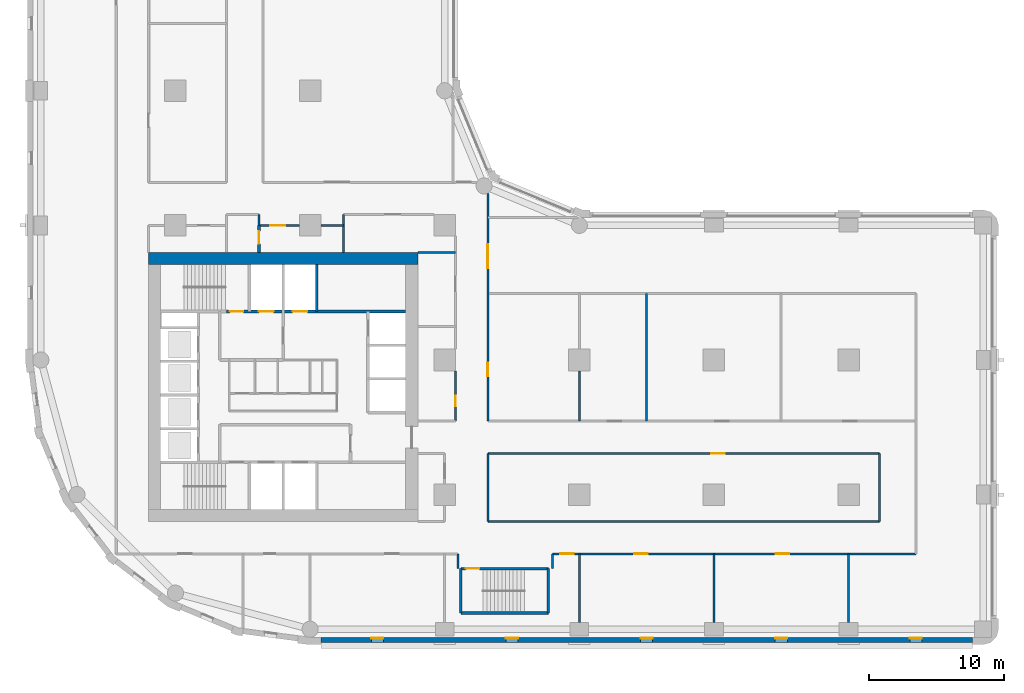
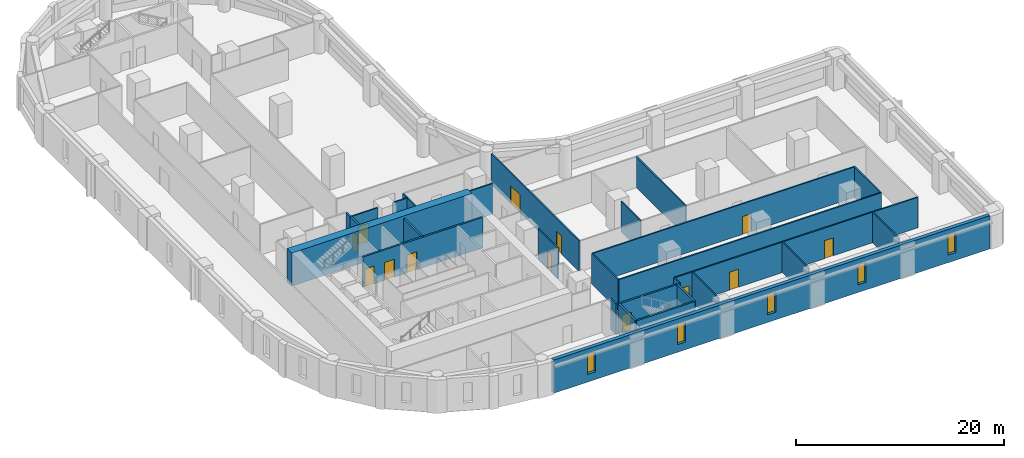
# One storey, part 4 of 11: 28 walls, 13 doors, 5 windows, 18 openings.
"""IFC4 building model written with IfcOpenShell, lengths in metres."""

from ifc_helpers import new_model, si_unit, direction, frame, frame_2d, origin, place, context, subcontext, project, spatial, rectangle, extrude, material, layer, layer_set, type_object, element, fill, save


model = new_model("IFC4")

# Units and contexts
model_context = context("Model", 3, precision=1e-05, world=origin(), true_north=direction((0.0, 1.0)))
body_context = subcontext(model_context, "Body", "Model", "MODEL_VIEW")
ifc_project = project(units=[si_unit("LENGTHUNIT", "METRE"), si_unit("AREAUNIT", "SQUARE_METRE"), si_unit("VOLUMEUNIT", "CUBIC_METRE"), si_unit("PLANEANGLEUNIT", "RADIAN"), si_unit("MASSUNIT", "GRAM", prefix="KILO")], contexts=[model_context])

# Site, building, storey
site_placement = place(None, origin())
site = spatial("IfcSite", under=ifc_project, at=site_placement, CompositionType="ELEMENT")
building_placement = place(site_placement, origin())
building = spatial("IfcBuilding", under=site, at=building_placement, Name="Qaws Garden Tower", CompositionType="ELEMENT")
storey_placement = place(building_placement, frame((0.0, 0.0, 82.199951171875)))
storey = spatial("IfcBuildingStorey", under=building, at=storey_placement, Name="L20", CompositionType="ELEMENT", Elevation=82.199951171875)

# Wall, opening, door
ifc_material_1 = material(Name="Blockwork", Category="masonry")
ifc_layer_1 = layer(ifc_material_1, 0.199951171875)
ifc_layer_set_1 = layer_set([ifc_layer_1], Name="Blockwork")
wall_type_1 = type_object("IfcWallType", Name="BLOCK WALL 200 EI 60", PredefinedType="PARTITIONING", material=ifc_layer_set_1)
wall_1_placement = place(storey_placement, frame((16.199951171875, 28.0, 0.0), z_axis=(0.0, 0.0, 1.0), x_axis=(0.0, 1.0, 0.0)))
wall_1 = element("IfcWall", 1, at=wall_1_placement, inside=storey, type_object=wall_type_1, Name="O-L20-wall-060", PredefinedType="PARTITIONING", context=body_context, shape_type="SweptSolid", body=[
    extrude(rectangle(XDim=2.0, YDim=0.199951171875, at=frame_2d((1.0, 0.0))), origin(), (0.0, 0.0, 1.0), 3.580078125),
])
opening_1_placement = place(wall_1_placement, frame((0.625, 0.0, 0.0)))
opening_1 = element("IfcOpeningElement", 2, at=opening_1_placement, cuts=wall_1, Name="Opening A726", PredefinedType="OPENING", context=body_context, shape_type="SweptSolid", body=[
    extrude(rectangle(XDim=0.949951171875, YDim=2.10009765625, at=frame_2d((0.47509765625, 1.050048828125))), frame((0.0, 0.10986328125, 0.0), z_axis=(0.0, -1.0, 0.0), x_axis=(1.0, 0.0, 0.0)), (0.0, 0.0, 1.0), 0.219970703125),
])
ifc_material_2 = material(Name="Timber and glass door leaf", Category="wood")
door_type_1 = type_object("IfcDoorType", Name="GLAZED DOOR 950 X 2100", OperationType="SINGLE_SWING_LEFT", PredefinedType="DOOR", material=ifc_material_2)
door_1_placement = place(opening_1_placement, origin())
door_1 = element("IfcDoor", 3, at=door_1_placement, inside=storey, type_object=door_type_1, Name="O-L20-door-026", OperationType="SINGLE_SWING_LEFT", OverallHeight=2.10009765625, OverallWidth=0.949951171875, PredefinedType="DOOR", context=body_context, shape_type="SweptSolid", body=[
    extrude(rectangle(XDim=0.949951171875, YDim=2.10009765625, at=frame_2d((0.47509765625, 1.050048828125))), frame((0.0, 0.02490234375, 0.0), z_axis=(0.0, -1.0, 0.0), x_axis=(1.0, 0.0, 0.0)), (0.0, 0.0, 1.0), 0.050048828125),
])
fill(opening_1, door_1)

# Wall, openings, windows
ifc_material_3 = material(Name="Buff clay facing brick masonry", Category="masonry")
ifc_layer_2 = layer(ifc_material_3, 0.39990234375)
ifc_layer_set_2 = layer_set([ifc_layer_2], Name="Buff clay facing brick masonry")
wall_type_2 = type_object("IfcWallType", Name="Buff brick infill wall 400", PredefinedType="SOLIDWALL", material=ifc_layer_set_2)
wall_2_placement = place(storey_placement, frame((20.800048828125, -0.800048828125, 0.0), z_axis=(0.0, 0.0, 1.0), x_axis=(1.0, 0.0, 0.0)))
wall_2 = element("IfcWall", 4, at=wall_2_placement, inside=storey, type_object=wall_type_2, Name="E-L20-infill-00", PredefinedType="SOLIDWALL", context=body_context, shape_type="SweptSolid", body=[
    extrude(rectangle(XDim=48.39990234375, YDim=0.39990234375, at=frame_2d((24.199951171875, 0.0))), origin(), (0.0, 0.0, 1.0), 3.900146484375),
])
opening_2_placement = place(wall_2_placement, frame((3.75, 0.0, 0.89990234375)))
opening_2 = element("IfcOpeningElement", 5, at=opening_2_placement, cuts=wall_2, Name="Opening W09", PredefinedType="OPENING", context=body_context, shape_type="SweptSolid", body=[
    extrude(rectangle(XDim=0.89990234375, YDim=2.35009765625, at=frame_2d((0.449951171875, 1.175048828125))), frame((0.0, 0.2099609375, 0.0), z_axis=(0.0, -1.0, 0.0), x_axis=(1.0, 0.0, 0.0)), (0.0, 0.0, 1.0), 0.419921875),
])
opening_3_placement = place(wall_2_placement, frame((13.75, 0.0, 0.89990234375)))
opening_3 = element("IfcOpeningElement", 6, at=opening_3_placement, cuts=wall_2, Name="Opening W09", PredefinedType="OPENING", context=body_context, shape_type="SweptSolid", body=[
    extrude(rectangle(XDim=0.89990234375, YDim=2.35009765625, at=frame_2d((0.449951171875, 1.175048828125))), frame((0.0, 0.2099609375, 0.0), z_axis=(0.0, -1.0, 0.0), x_axis=(1.0, 0.0, 0.0)), (0.0, 0.0, 1.0), 0.419921875),
])
opening_4_placement = place(wall_2_placement, frame((23.75, 0.0, 0.89990234375)))
opening_4 = element("IfcOpeningElement", 7, at=opening_4_placement, cuts=wall_2, Name="Opening W09", PredefinedType="OPENING", context=body_context, shape_type="SweptSolid", body=[
    extrude(rectangle(XDim=0.89990234375, YDim=2.35009765625, at=frame_2d((0.449951171875, 1.175048828125))), frame((0.0, 0.2099609375, 0.0), z_axis=(0.0, -1.0, 0.0), x_axis=(1.0, 0.0, 0.0)), (0.0, 0.0, 1.0), 0.419921875),
])
opening_5_placement = place(wall_2_placement, frame((33.75, 0.0, 0.89990234375)))
opening_5 = element("IfcOpeningElement", 8, at=opening_5_placement, cuts=wall_2, Name="Opening W09", PredefinedType="OPENING", context=body_context, shape_type="SweptSolid", body=[
    extrude(rectangle(XDim=0.89990234375, YDim=2.35009765625, at=frame_2d((0.449951171875, 1.175048828125))), frame((0.0, 0.2099609375, 0.0), z_axis=(0.0, -1.0, 0.0), x_axis=(1.0, 0.0, 0.0)), (0.0, 0.0, 1.0), 0.419921875),
])
opening_6_placement = place(wall_2_placement, frame((43.75, 0.0, 0.89990234375)))
opening_6 = element("IfcOpeningElement", 9, at=opening_6_placement, cuts=wall_2, Name="Opening W09", PredefinedType="OPENING", context=body_context, shape_type="SweptSolid", body=[
    extrude(rectangle(XDim=0.89990234375, YDim=2.35009765625, at=frame_2d((0.449951171875, 1.175048828125))), frame((0.0, 0.2099609375, 0.0), z_axis=(0.0, -1.0, 0.0), x_axis=(1.0, 0.0, 0.0)), (0.0, 0.0, 1.0), 0.419921875),
])
ifc_material_4 = material(Name="Aluminium framed window, clear glazing", Category="aluminium")
window_type = type_object("IfcWindowType", Name="Slit window 900 x 2350", PartitioningType="SINGLE_PANEL", PredefinedType="WINDOW", material=ifc_material_4)
window_1_placement = place(opening_2_placement, origin())
window_1 = element("IfcWindow", 10, at=window_1_placement, inside=storey, type_object=window_type, Name="E-L20-window-00-0", OverallHeight=2.35009765625, OverallWidth=0.89990234375, PartitioningType="SINGLE_PANEL", PredefinedType="WINDOW", context=body_context, shape_type="SweptSolid", body=[
    extrude(rectangle(XDim=0.89990234375, YDim=2.35009765625, at=frame_2d((0.449951171875, 1.175048828125))), frame((0.0, 0.159912109375, 0.0), z_axis=(0.0, -1.0, 0.0), x_axis=(1.0, 0.0, 0.0)), (0.0, 0.0, 1.0), 0.06005859375),
])
fill(opening_2, window_1)
window_2_placement = place(opening_3_placement, origin())
window_2 = element("IfcWindow", 11, at=window_2_placement, inside=storey, type_object=window_type, Name="E-L20-window-01-0", OverallHeight=2.35009765625, OverallWidth=0.89990234375, PartitioningType="SINGLE_PANEL", PredefinedType="WINDOW", context=body_context, shape_type="SweptSolid", body=[
    extrude(rectangle(XDim=0.89990234375, YDim=2.35009765625, at=frame_2d((0.449951171875, 1.175048828125))), frame((0.0, 0.159912109375, 0.0), z_axis=(0.0, -1.0, 0.0), x_axis=(1.0, 0.0, 0.0)), (0.0, 0.0, 1.0), 0.06005859375),
])
fill(opening_3, window_2)
window_3_placement = place(opening_4_placement, origin())
window_3 = element("IfcWindow", 12, at=window_3_placement, inside=storey, type_object=window_type, Name="E-L20-window-02-0", OverallHeight=2.35009765625, OverallWidth=0.89990234375, PartitioningType="SINGLE_PANEL", PredefinedType="WINDOW", context=body_context, shape_type="SweptSolid", body=[
    extrude(rectangle(XDim=0.89990234375, YDim=2.35009765625, at=frame_2d((0.449951171875, 1.175048828125))), frame((0.0, 0.159912109375, 0.0), z_axis=(0.0, -1.0, 0.0), x_axis=(1.0, 0.0, 0.0)), (0.0, 0.0, 1.0), 0.06005859375),
])
fill(opening_4, window_3)
window_4_placement = place(opening_5_placement, origin())
window_4 = element("IfcWindow", 13, at=window_4_placement, inside=storey, type_object=window_type, Name="E-L20-window-03-0", OverallHeight=2.35009765625, OverallWidth=0.89990234375, PartitioningType="SINGLE_PANEL", PredefinedType="WINDOW", context=body_context, shape_type="SweptSolid", body=[
    extrude(rectangle(XDim=0.89990234375, YDim=2.35009765625, at=frame_2d((0.449951171875, 1.175048828125))), frame((0.0, 0.159912109375, 0.0), z_axis=(0.0, -1.0, 0.0), x_axis=(1.0, 0.0, 0.0)), (0.0, 0.0, 1.0), 0.06005859375),
])
fill(opening_5, window_4)
window_5_placement = place(opening_6_placement, origin())
window_5 = element("IfcWindow", 14, at=window_5_placement, inside=storey, type_object=window_type, Name="E-L20-window-04-0", OverallHeight=2.35009765625, OverallWidth=0.89990234375, PartitioningType="SINGLE_PANEL", PredefinedType="WINDOW", context=body_context, shape_type="SweptSolid", body=[
    extrude(rectangle(XDim=0.89990234375, YDim=2.35009765625, at=frame_2d((0.449951171875, 1.175048828125))), frame((0.0, 0.159912109375, 0.0), z_axis=(0.0, -1.0, 0.0), x_axis=(1.0, 0.0, 0.0)), (0.0, 0.0, 1.0), 0.06005859375),
])
fill(opening_6, window_5)

# Wall
ifc_material_5 = material(Name="Concrete C80", Category="concrete")
ifc_layer_3 = layer(ifc_material_5, 0.199951171875)
ifc_layer_set_3 = layer_set([ifc_layer_3], Name="Concrete C80")
wall_type_3 = type_object("IfcWallType", Name="Core shaft wall 200 C80", PredefinedType="SHEAR", material=ifc_layer_set_3)
wall_3_placement = place(storey_placement, frame((31.199951171875, 1.199951171875, 0.0), z_axis=(0.0, 0.0, 1.0), x_axis=(1.0, 0.0, 0.0)))
element("IfcWall", 15, at=wall_3_placement, inside=storey, type_object=wall_type_3, Name="Shaft wall", PredefinedType="SHEAR", context=body_context, shape_type="SweptSolid", body=[
    extrude(rectangle(XDim=6.5, YDim=0.199951171875, at=frame_2d((3.25, 0.0))), origin(), (0.0, 0.0, 1.0), 3.580078125),
])

# Wall, opening, door
wall_4_placement = place(storey_placement, frame((31.199951171875, 4.5, 0.0), z_axis=(0.0, 0.0, 1.0), x_axis=(1.0, 0.0, 0.0)))
wall_4 = element("IfcWall", 16, at=wall_4_placement, inside=storey, type_object=wall_type_3, Name="Shaft wall", PredefinedType="SHEAR", context=body_context, shape_type="SweptSolid", body=[
    extrude(rectangle(XDim=6.5, YDim=0.199951171875, at=frame_2d((3.25, 0.0))), origin(), (0.0, 0.0, 1.0), 3.580078125),
])
opening_7_placement = place(wall_4_placement, frame((0.375, 0.0, 0.0)))
opening_7 = element("IfcOpeningElement", 17, at=opening_7_placement, cuts=wall_4, Name="Opening SD12", PredefinedType="OPENING", context=body_context, shape_type="SweptSolid", body=[
    extrude(rectangle(XDim=1.0, YDim=2.10009765625, at=frame_2d((0.5, 1.050048828125))), frame((0.0, 0.10986328125, 0.0), z_axis=(0.0, -1.0, 0.0), x_axis=(1.0, 0.0, 0.0)), (0.0, 0.0, 1.0), 0.219970703125),
])
ifc_material_6 = material(Name="Steel S235", Category="steel")
door_type_2 = type_object("IfcDoorType", Name="Stair door 1000x2100", OperationType="SINGLE_SWING_RIGHT", PredefinedType="DOOR", material=ifc_material_6)
door_2_placement = place(opening_7_placement, frame((1.0, 0.0, 0.0), z_axis=(0.0, 0.0, 1.0), x_axis=(-1.0, 0.0, 0.0)))
door_2 = element("IfcDoor", 18, at=door_2_placement, inside=storey, type_object=door_type_2, Name="Stair 5 door", OperationType="SINGLE_SWING_RIGHT", OverallHeight=2.10009765625, OverallWidth=1.0, PredefinedType="DOOR", context=body_context, shape_type="SweptSolid", body=[
    extrude(rectangle(XDim=1.0, YDim=2.10009765625, at=frame_2d((0.5, 1.050048828125))), frame((0.0, 0.02490234375, 0.0), z_axis=(0.0, -1.0, 0.0), x_axis=(1.0, 0.0, 0.0)), (0.0, 0.0, 1.0), 0.050048828125),
])
fill(opening_7, door_2)

# Wall, openings, doors
wall_5_placement = place(storey_placement, frame((13.800048828125, 23.60009765625, 0.0), z_axis=(0.0, 0.0, 1.0), x_axis=(1.0, 0.0, 0.0)))
wall_5 = element("IfcWall", 19, at=wall_5_placement, inside=storey, type_object=wall_type_3, Name="Shaft wall", PredefinedType="SHEAR", context=body_context, shape_type="SweptSolid", body=[
    extrude(rectangle(XDim=13.300048828125, YDim=0.199951171875, at=frame_2d((6.64990234375, 0.0))), origin(), (0.0, 0.0, 1.0), 3.580078125),
])
opening_8_placement = place(wall_5_placement, frame((2.39990234375, 0.0, 0.0)))
opening_8 = element("IfcOpeningElement", 20, at=opening_8_placement, cuts=wall_5, Name="Opening LD08", PredefinedType="OPENING", context=body_context, shape_type="SweptSolid", body=[
    extrude(rectangle(XDim=1.10009765625, YDim=2.10009765625, at=frame_2d((0.550048828125, 1.050048828125))), frame((0.0, 0.10986328125, 0.0), z_axis=(0.0, -1.0, 0.0), x_axis=(1.0, 0.0, 0.0)), (0.0, 0.0, 1.0), 0.219970703125),
])
opening_9_placement = place(wall_5_placement, frame((4.89990234375, 0.0, 0.0)))
opening_9 = element("IfcOpeningElement", 21, at=opening_9_placement, cuts=wall_5, Name="Opening LD09", PredefinedType="OPENING", context=body_context, shape_type="SweptSolid", body=[
    extrude(rectangle(XDim=1.10009765625, YDim=2.10009765625, at=frame_2d((0.550048828125, 1.050048828125))), frame((0.0, 0.10986328125, 0.0), z_axis=(0.0, -1.0, 0.0), x_axis=(1.0, 0.0, 0.0)), (0.0, 0.0, 1.0), 0.219970703125),
])
opening_10_placement = place(wall_5_placement, frame((0.25, 0.0, 0.0)))
opening_10 = element("IfcOpeningElement", 22, at=opening_10_placement, cuts=wall_5, Name="Opening SD11", PredefinedType="OPENING", context=body_context, shape_type="SweptSolid", body=[
    extrude(rectangle(XDim=1.0, YDim=2.10009765625, at=frame_2d((0.5, 1.050048828125))), frame((0.0, 0.10986328125, 0.0), z_axis=(0.0, -1.0, 0.0), x_axis=(1.0, 0.0, 0.0)), (0.0, 0.0, 1.0), 0.219970703125),
])
ifc_material_7 = material(Name="Steel S235", Category="steel")
door_type_3 = type_object("IfcDoorType", Name="Landing door 1100x2100", OperationType="DOUBLE_DOOR_SLIDING", PredefinedType="DOOR", material=ifc_material_7)
door_3_placement = place(opening_8_placement, origin())
door_3 = element("IfcDoor", 23, at=door_3_placement, inside=storey, type_object=door_type_3, Name="Lift FF3 landing door", OperationType="DOUBLE_DOOR_SLIDING", OverallHeight=2.10009765625, OverallWidth=1.10009765625, PredefinedType="DOOR", context=body_context, shape_type="SweptSolid", body=[
    extrude(rectangle(XDim=1.10009765625, YDim=2.10009765625, at=frame_2d((0.550048828125, 1.050048828125))), frame((0.0, 0.02490234375, 0.0), z_axis=(0.0, -1.0, 0.0), x_axis=(1.0, 0.0, 0.0)), (0.0, 0.0, 1.0), 0.050048828125),
])
fill(opening_8, door_3)
door_4_placement = place(opening_9_placement, origin())
door_4 = element("IfcDoor", 24, at=door_4_placement, inside=storey, type_object=door_type_3, Name="Lift SV2 landing door", OperationType="DOUBLE_DOOR_SLIDING", OverallHeight=2.10009765625, OverallWidth=1.10009765625, PredefinedType="DOOR", context=body_context, shape_type="SweptSolid", body=[
    extrude(rectangle(XDim=1.10009765625, YDim=2.10009765625, at=frame_2d((0.550048828125, 1.050048828125))), frame((0.0, 0.02490234375, 0.0), z_axis=(0.0, -1.0, 0.0), x_axis=(1.0, 0.0, 0.0)), (0.0, 0.0, 1.0), 0.050048828125),
])
fill(opening_9, door_4)
door_5_placement = place(opening_10_placement, origin())
door_5 = element("IfcDoor", 25, at=door_5_placement, inside=storey, type_object=door_type_2, Name="Stair 4 door", OperationType="SINGLE_SWING_RIGHT", OverallHeight=2.10009765625, OverallWidth=1.0, PredefinedType="DOOR", context=body_context, shape_type="SweptSolid", body=[
    extrude(rectangle(XDim=1.0, YDim=2.10009765625, at=frame_2d((0.5, 1.050048828125))), frame((0.0, 0.02490234375, 0.0), z_axis=(0.0, -1.0, 0.0), x_axis=(1.0, 0.0, 0.0)), (0.0, 0.0, 1.0), 0.050048828125),
])
fill(opening_10, door_5)

# Walls
wall_6_placement = place(storey_placement, frame((20.5, 23.60009765625, 0.0), z_axis=(0.0, 0.0, 1.0), x_axis=(0.0, 1.0, 0.0)))
element("IfcWall", 26, at=wall_6_placement, inside=storey, type_object=wall_type_3, Name="Shaft wall", PredefinedType="SHEAR", context=body_context, shape_type="SweptSolid", body=[
    extrude(rectangle(XDim=3.5, YDim=0.199951171875, at=frame_2d((1.75, 0.0))), origin(), (0.0, 0.0, 1.0), 3.580078125),
])
for number, where, z_axis, x_axis, name in (
    (27, (31.199951171875, 1.199951171875, 0.0), (0.0, 0.0, 1.0), (0.0, 1.0, 0.0), "Shaft wall"),
    (28, (37.699951171875, 1.199951171875, 0.0), (0.0, 0.0, 1.0), (0.0, 1.0, 0.0), "Shaft wall"),
):
    element("IfcWall", number, at=place(storey_placement, frame(where, z_axis=z_axis, x_axis=x_axis)), inside=storey, type_object=wall_type_3, Name=name, PredefinedType="SHEAR", context=body_context, shape_type="SweptSolid", body=[
        extrude(rectangle(XDim=3.300048828125, YDim=0.199951171875, at=frame_2d((1.64990234375, 0.0))), origin(), (0.0, 0.0, 1.0), 3.580078125),
    ])
ifc_material_8 = material(Name="Concrete C80", Category="concrete")
ifc_layer_4 = layer(ifc_material_8, 0.89990234375)
ifc_layer_set_4 = layer_set([ifc_layer_4], Name="Concrete C80")
wall_type_4 = type_object("IfcWallType", Name="Core wall 900 C80", PredefinedType="SHEAR", material=ifc_layer_set_4)
wall_7_placement = place(storey_placement, frame((28.0, 27.550048828125, 0.0), z_axis=(0.0, 0.0, 1.0), x_axis=(-1.0, 0.0, 0.0)))
element("IfcWall", 29, at=wall_7_placement, inside=storey, type_object=wall_type_4, Name="Core wall L20 north", PredefinedType="SHEAR", context=body_context, shape_type="SweptSolid", body=[
    extrude(rectangle(XDim=20.0, YDim=0.89990234375, at=frame_2d((10.0, 0.0))), origin(), (0.0, 0.0, 1.0), 3.900146484375),
])
ifc_material_9 = material(Name="Gypsum board partition")
ifc_layer_5 = layer(ifc_material_9, 0.14990234375)
ifc_layer_set_5 = layer_set([ifc_layer_5], Name="Gypsum board partition")
wall_type_5 = type_object("IfcWallType", Name="PARTITION 150 EI 60", PredefinedType="PARTITIONING", material=ifc_layer_set_5)
wall_8_placement = place(storey_placement, frame((16.199951171875, 30.0, 0.0), z_axis=(0.0, 0.0, 1.0), x_axis=(0.0, 1.0, 0.0)))
element("IfcWall", 30, at=wall_8_placement, inside=storey, type_object=wall_type_5, Name="O-L20-wall-008", PredefinedType="PARTITIONING", context=body_context, shape_type="SweptSolid", body=[
    extrude(rectangle(XDim=0.800048828125, YDim=0.14990234375, at=frame_2d((0.39990234375, 0.0))), origin(), (0.0, 0.0, 1.0), 3.580078125),
])
wall_9_placement = place(storey_placement, frame((22.5, 28.0, 0.0), z_axis=(0.0, 0.0, 1.0), x_axis=(0.0, 1.0, 0.0)))
element("IfcWall", 31, at=wall_9_placement, inside=storey, type_object=wall_type_5, Name="O-L20-wall-012", PredefinedType="PARTITIONING", context=body_context, shape_type="SweptSolid", body=[
    extrude(rectangle(XDim=2.800048828125, YDim=0.14990234375, at=frame_2d((1.39990234375, 0.0))), origin(), (0.0, 0.0, 1.0), 3.580078125),
])

# Wall, opening, door
wall_10_placement = place(storey_placement, frame((30.800048828125, 15.449951171875, 0.0), z_axis=(0.0, 0.0, 1.0), x_axis=(0.0, 1.0, 0.0)))
wall_10 = element("IfcWall", 32, at=wall_10_placement, inside=storey, type_object=wall_type_5, Name="O-L20-wall-018", PredefinedType="PARTITIONING", context=body_context, shape_type="SweptSolid", body=[
    extrude(rectangle(XDim=3.75, YDim=0.14990234375, at=frame_2d((1.875, 0.0))), origin(), (0.0, 0.0, 1.0), 3.580078125),
])
opening_11_placement = place(wall_10_placement, frame((1.10009765625, 0.0, 0.0)))
opening_11 = element("IfcOpeningElement", 33, at=opening_11_placement, cuts=wall_10, Name="Opening A707", PredefinedType="OPENING", context=body_context, shape_type="SweptSolid", body=[
    extrude(rectangle(XDim=0.800048828125, YDim=2.10009765625, at=frame_2d((0.39990234375, 1.050048828125))), frame((0.0, 0.0849609375, 0.0), z_axis=(0.0, -1.0, 0.0), x_axis=(1.0, 0.0, 0.0)), (0.0, 0.0, 1.0), 0.169921875),
])
ifc_material_10 = material(Name="Timber door leaf", Category="wood")
door_type_4 = type_object("IfcDoorType", Name="STORE DOOR 800 X 2100", OperationType="SINGLE_SWING_LEFT", PredefinedType="DOOR", material=ifc_material_10)
door_6_placement = place(opening_11_placement, origin())
door_6 = element("IfcDoor", 34, at=door_6_placement, inside=storey, type_object=door_type_4, Name="O-L20-door-007", OperationType="SINGLE_SWING_LEFT", OverallHeight=2.10009765625, OverallWidth=0.800048828125, PredefinedType="DOOR", context=body_context, shape_type="SweptSolid", body=[
    extrude(rectangle(XDim=0.800048828125, YDim=2.10009765625, at=frame_2d((0.39990234375, 1.050048828125))), frame((0.0, 0.02490234375, 0.0), z_axis=(0.0, -1.0, 0.0), x_axis=(1.0, 0.0, 0.0)), (0.0, 0.0, 1.0), 0.050048828125),
])
fill(opening_11, door_6)

# Walls
wall_11_placement = place(storey_placement, frame((31.0, 4.5, 0.0), z_axis=(0.0, 0.0, 1.0), x_axis=(0.0, 1.0, 0.0)))
element("IfcWall", 35, at=wall_11_placement, inside=storey, type_object=wall_type_5, Name="O-L20-wall-020", PredefinedType="PARTITIONING", context=body_context, shape_type="SweptSolid", body=[
    extrude(rectangle(XDim=1.10009765625, YDim=0.14990234375, at=frame_2d((0.550048828125, 0.0))), origin(), (0.0, 0.0, 1.0), 3.580078125),
])
wall_12_placement = place(storey_placement, frame((33.199951171875, 8.0, 0.0), z_axis=(0.0, 0.0, 1.0), x_axis=(0.0, 1.0, 0.0)))
element("IfcWall", 36, at=wall_12_placement, inside=storey, type_object=wall_type_5, Name="O-L20-wall-021", PredefinedType="PARTITIONING", context=body_context, shape_type="SweptSolid", body=[
    extrude(rectangle(XDim=5.050048828125, YDim=0.14990234375, at=frame_2d((2.52490234375, 0.0))), origin(), (0.0, 0.0, 1.0), 3.580078125),
])

# Wall, openings, doors
wall_13_placement = place(storey_placement, frame((33.199951171875, 15.449951171875, 0.0), z_axis=(0.0, 0.0, 1.0), x_axis=(0.0, 1.0, 0.0)))
wall_13 = element("IfcWall", 37, at=wall_13_placement, inside=storey, type_object=wall_type_5, Name="O-L20-wall-022", PredefinedType="PARTITIONING", context=body_context, shape_type="SweptSolid", body=[
    extrude(rectangle(XDim=16.912109375, YDim=0.14990234375, at=frame_2d((8.4560546875, 0.0))), origin(), (0.0, 0.0, 1.0), 3.580078125),
])
opening_12_placement = place(wall_13_placement, frame((11.35009765625, 0.0, 0.0)))
opening_12 = element("IfcOpeningElement", 38, at=opening_12_placement, cuts=wall_13, Name="Opening A705", PredefinedType="OPENING", context=body_context, shape_type="SweptSolid", body=[
    extrude(rectangle(XDim=1.800048828125, YDim=2.10009765625, at=frame_2d((0.89990234375, 1.050048828125))), frame((0.0, 0.0849609375, 0.0), z_axis=(0.0, -1.0, 0.0), x_axis=(1.0, 0.0, 0.0)), (0.0, 0.0, 1.0), 0.169921875),
])
opening_13_placement = place(wall_13_placement, frame((3.35009765625, 0.0, 0.0)))
opening_13 = element("IfcOpeningElement", 39, at=opening_13_placement, cuts=wall_13, Name="Opening A724", PredefinedType="OPENING", context=body_context, shape_type="SweptSolid", body=[
    extrude(rectangle(XDim=1.0, YDim=2.10009765625, at=frame_2d((0.5, 1.050048828125))), frame((0.0, 0.0849609375, 0.0), z_axis=(0.0, -1.0, 0.0), x_axis=(1.0, 0.0, 0.0)), (0.0, 0.0, 1.0), 0.169921875),
])
ifc_material_11 = material(Name="Timber door leaf", Category="wood")
door_type_5 = type_object("IfcDoorType", Name="DOUBLE DOOR 1800 X 2100", OperationType="DOUBLE_DOOR_SINGLE_SWING", PredefinedType="DOOR", material=ifc_material_11)
door_7_placement = place(opening_12_placement, frame((1.800048828125, 0.0, 0.0), z_axis=(0.0, 0.0, 1.0), x_axis=(-1.0, 0.0, 0.0)))
door_7 = element("IfcDoor", 40, at=door_7_placement, inside=storey, type_object=door_type_5, Name="O-L20-door-005", OperationType="DOUBLE_DOOR_SINGLE_SWING", OverallHeight=2.10009765625, OverallWidth=1.800048828125, PredefinedType="DOOR", context=body_context, shape_type="SweptSolid", body=[
    extrude(rectangle(XDim=1.800048828125, YDim=2.10009765625, at=frame_2d((0.89990234375, 1.050048828125))), frame((0.0, 0.02490234375, 0.0), z_axis=(0.0, -1.0, 0.0), x_axis=(1.0, 0.0, 0.0)), (0.0, 0.0, 1.0), 0.050048828125),
])
fill(opening_12, door_7)
ifc_material_12 = material(Name="Timber door leaf", Category="wood")
door_type_6 = type_object("IfcDoorType", Name="TENANCY ENTRANCE DOOR 1000 X 2100", OperationType="SINGLE_SWING_LEFT", PredefinedType="DOOR", material=ifc_material_12)
door_8_placement = place(opening_13_placement, frame((1.0, 0.0, 0.0), z_axis=(0.0, 0.0, 1.0), x_axis=(-1.0, 0.0, 0.0)))
door_8 = element("IfcDoor", 41, at=door_8_placement, inside=storey, type_object=door_type_6, Name="O-L20-door-024", OperationType="SINGLE_SWING_LEFT", OverallHeight=2.10009765625, OverallWidth=1.0, PredefinedType="DOOR", context=body_context, shape_type="SweptSolid", body=[
    extrude(rectangle(XDim=1.0, YDim=2.10009765625, at=frame_2d((0.5, 1.050048828125))), frame((0.0, 0.02490234375, 0.0), z_axis=(0.0, -1.0, 0.0), x_axis=(1.0, 0.0, 0.0)), (0.0, 0.0, 1.0), 0.050048828125),
])
fill(opening_13, door_8)

# Walls
wall_14_placement = place(storey_placement, frame((38.0, 4.5, 0.0), z_axis=(0.0, 0.0, 1.0), x_axis=(0.0, 1.0, 0.0)))
element("IfcWall", 42, at=wall_14_placement, inside=storey, type_object=wall_type_5, Name="O-L20-wall-023", PredefinedType="PARTITIONING", context=body_context, shape_type="SweptSolid", body=[
    extrude(rectangle(XDim=1.10009765625, YDim=0.14990234375, at=frame_2d((0.550048828125, 0.0))), origin(), (0.0, 0.0, 1.0), 3.580078125),
])
wall_15_placement = place(storey_placement, frame((40.0, 0.5, 0.0), z_axis=(0.0, 0.0, 1.0), x_axis=(0.0, 1.0, 0.0)))
element("IfcWall", 43, at=wall_15_placement, inside=storey, type_object=wall_type_5, Name="O-L20-wall-024", PredefinedType="PARTITIONING", context=body_context, shape_type="SweptSolid", body=[
    extrude(rectangle(XDim=5.10009765625, YDim=0.14990234375, at=frame_2d((2.550048828125, 0.0))), origin(), (0.0, 0.0, 1.0), 3.580078125),
])
wall_16_placement = place(storey_placement, frame((40.0, 15.449951171875, 0.0), z_axis=(0.0, 0.0, 1.0), x_axis=(0.0, 1.0, 0.0)))
element("IfcWall", 44, at=wall_16_placement, inside=storey, type_object=wall_type_5, Name="O-L20-wall-025", PredefinedType="PARTITIONING", context=body_context, shape_type="SweptSolid", body=[
    extrude(rectangle(XDim=3.75, YDim=0.14990234375, at=frame_2d((1.875, 0.0))), origin(), (0.0, 0.0, 1.0), 3.580078125),
])
wall_17_placement = place(storey_placement, frame((45.0, 15.449951171875, 0.0), z_axis=(0.0, 0.0, 1.0), x_axis=(0.0, 1.0, 0.0)))
element("IfcWall", 45, at=wall_17_placement, inside=storey, type_object=wall_type_5, Name="O-L20-wall-027", PredefinedType="PARTITIONING", context=body_context, shape_type="SweptSolid", body=[
    extrude(rectangle(XDim=9.5, YDim=0.14990234375, at=frame_2d((4.75, 0.0))), origin(), (0.0, 0.0, 1.0), 3.580078125),
])
for number, where, z_axis, x_axis, name in (
    (46, (50.0, 0.5, 0.0), (0.0, 0.0, 1.0), (0.0, 1.0, 0.0), "O-L20-wall-028"),
    (47, (60.0, 0.5, 0.0), (0.0, 0.0, 1.0), (0.0, 1.0, 0.0), "O-L20-wall-030"),
):
    element("IfcWall", number, at=place(storey_placement, frame(where, z_axis=z_axis, x_axis=x_axis)), inside=storey, type_object=wall_type_5, Name=name, PredefinedType="PARTITIONING", context=body_context, shape_type="SweptSolid", body=[
        extrude(rectangle(XDim=5.10009765625, YDim=0.14990234375, at=frame_2d((2.550048828125, 0.0))), origin(), (0.0, 0.0, 1.0), 3.580078125),
    ])
wall_18_placement = place(storey_placement, frame((62.300048828125, 8.0, 0.0), z_axis=(0.0, 0.0, 1.0), x_axis=(0.0, 1.0, 0.0)))
element("IfcWall", 48, at=wall_18_placement, inside=storey, type_object=wall_type_5, Name="O-L20-wall-031", PredefinedType="PARTITIONING", context=body_context, shape_type="SweptSolid", body=[
    extrude(rectangle(XDim=5.050048828125, YDim=0.14990234375, at=frame_2d((2.52490234375, 0.0))), origin(), (0.0, 0.0, 1.0), 3.580078125),
])

# Wall, openings, doors
wall_19_placement = place(storey_placement, frame((38.0, 5.60009765625, 0.0), z_axis=(0.0, 0.0, 1.0), x_axis=(1.0, 0.0, 0.0)))
wall_19 = element("IfcWall", 49, at=wall_19_placement, inside=storey, type_object=wall_type_5, Name="O-L20-wall-034", PredefinedType="PARTITIONING", context=body_context, shape_type="SweptSolid", body=[
    extrude(rectangle(XDim=27.0, YDim=0.14990234375, at=frame_2d((13.5, 0.0))), origin(), (0.0, 0.0, 1.0), 3.580078125),
])
opening_14_placement = place(wall_19_placement, frame((0.60009765625, 0.0, 0.0)))
opening_14 = element("IfcOpeningElement", 50, at=opening_14_placement, cuts=wall_19, Name="Opening A720", PredefinedType="OPENING", context=body_context, shape_type="SweptSolid", body=[
    extrude(rectangle(XDim=1.0, YDim=2.10009765625, at=frame_2d((0.5, 1.050048828125))), frame((0.0, 0.0849609375, 0.0), z_axis=(0.0, -1.0, 0.0), x_axis=(1.0, 0.0, 0.0)), (0.0, 0.0, 1.0), 0.169921875),
])
opening_15_placement = place(wall_19_placement, frame((6.10009765625, 0.0, 0.0)))
opening_15 = element("IfcOpeningElement", 51, at=opening_15_placement, cuts=wall_19, Name="Opening A721", PredefinedType="OPENING", context=body_context, shape_type="SweptSolid", body=[
    extrude(rectangle(XDim=1.0, YDim=2.10009765625, at=frame_2d((0.5, 1.050048828125))), frame((0.0, 0.0849609375, 0.0), z_axis=(0.0, -1.0, 0.0), x_axis=(1.0, 0.0, 0.0)), (0.0, 0.0, 1.0), 0.169921875),
])
opening_16_placement = place(wall_19_placement, frame((16.60009765625, 0.0, 0.0)))
opening_16 = element("IfcOpeningElement", 52, at=opening_16_placement, cuts=wall_19, Name="Opening A722", PredefinedType="OPENING", context=body_context, shape_type="SweptSolid", body=[
    extrude(rectangle(XDim=1.0, YDim=2.10009765625, at=frame_2d((0.5, 1.050048828125))), frame((0.0, 0.0849609375, 0.0), z_axis=(0.0, -1.0, 0.0), x_axis=(1.0, 0.0, 0.0)), (0.0, 0.0, 1.0), 0.169921875),
])
door_9_placement = place(opening_14_placement, frame((1.0, 0.0, 0.0), z_axis=(0.0, 0.0, 1.0), x_axis=(-1.0, 0.0, 0.0)))
door_9 = element("IfcDoor", 53, at=door_9_placement, inside=storey, type_object=door_type_6, Name="O-L20-door-020", OperationType="SINGLE_SWING_LEFT", OverallHeight=2.10009765625, OverallWidth=1.0, PredefinedType="DOOR", context=body_context, shape_type="SweptSolid", body=[
    extrude(rectangle(XDim=1.0, YDim=2.10009765625, at=frame_2d((0.5, 1.050048828125))), frame((0.0, 0.02490234375, 0.0), z_axis=(0.0, -1.0, 0.0), x_axis=(1.0, 0.0, 0.0)), (0.0, 0.0, 1.0), 0.050048828125),
])
fill(opening_14, door_9)
door_10_placement = place(opening_15_placement, frame((1.0, 0.0, 0.0), z_axis=(0.0, 0.0, 1.0), x_axis=(-1.0, 0.0, 0.0)))
door_10 = element("IfcDoor", 54, at=door_10_placement, inside=storey, type_object=door_type_6, Name="O-L20-door-021", OperationType="SINGLE_SWING_RIGHT", OverallHeight=2.10009765625, OverallWidth=1.0, PredefinedType="DOOR", context=body_context, shape_type="SweptSolid", body=[
    extrude(rectangle(XDim=1.0, YDim=2.10009765625, at=frame_2d((0.5, 1.050048828125))), frame((0.0, 0.02490234375, 0.0), z_axis=(0.0, -1.0, 0.0), x_axis=(1.0, 0.0, 0.0)), (0.0, 0.0, 1.0), 0.050048828125),
])
fill(opening_15, door_10)
door_11_placement = place(opening_16_placement, frame((1.0, 0.0, 0.0), z_axis=(0.0, 0.0, 1.0), x_axis=(-1.0, 0.0, 0.0)))
door_11 = element("IfcDoor", 55, at=door_11_placement, inside=storey, type_object=door_type_6, Name="O-L20-door-022", OperationType="SINGLE_SWING_RIGHT", OverallHeight=2.10009765625, OverallWidth=1.0, PredefinedType="DOOR", context=body_context, shape_type="SweptSolid", body=[
    extrude(rectangle(XDim=1.0, YDim=2.10009765625, at=frame_2d((0.5, 1.050048828125))), frame((0.0, 0.02490234375, 0.0), z_axis=(0.0, -1.0, 0.0), x_axis=(1.0, 0.0, 0.0)), (0.0, 0.0, 1.0), 0.050048828125),
])
fill(opening_16, door_11)

# Wall
wall_20_placement = place(storey_placement, frame((33.199951171875, 8.0, 0.0), z_axis=(0.0, 0.0, 1.0), x_axis=(1.0, 0.0, 0.0)))
element("IfcWall", 56, at=wall_20_placement, inside=storey, type_object=wall_type_5, Name="O-L20-wall-036", PredefinedType="PARTITIONING", context=body_context, shape_type="SweptSolid", body=[
    extrude(rectangle(XDim=29.10009765625, YDim=0.14990234375, at=frame_2d((14.550048828125, 0.0))), origin(), (0.0, 0.0, 1.0), 3.580078125),
])

# Wall, opening, door
wall_21_placement = place(storey_placement, frame((33.199951171875, 13.050048828125, 0.0), z_axis=(0.0, 0.0, 1.0), x_axis=(1.0, 0.0, 0.0)))
wall_21 = element("IfcWall", 57, at=wall_21_placement, inside=storey, type_object=wall_type_5, Name="O-L20-wall-038", PredefinedType="PARTITIONING", context=body_context, shape_type="SweptSolid", body=[
    extrude(rectangle(XDim=29.10009765625, YDim=0.14990234375, at=frame_2d((14.550048828125, 0.0))), origin(), (0.0, 0.0, 1.0), 3.580078125),
])
opening_17_placement = place(wall_21_placement, frame((16.60009765625, 0.0, 0.0)))
opening_17 = element("IfcOpeningElement", 58, at=opening_17_placement, cuts=wall_21, Name="Opening A723", PredefinedType="OPENING", context=body_context, shape_type="SweptSolid", body=[
    extrude(rectangle(XDim=1.0, YDim=2.10009765625, at=frame_2d((0.5, 1.050048828125))), frame((0.0, 0.0849609375, 0.0), z_axis=(0.0, -1.0, 0.0), x_axis=(1.0, 0.0, 0.0)), (0.0, 0.0, 1.0), 0.169921875),
])
door_12_placement = place(opening_17_placement, frame((1.0, 0.0, 0.0), z_axis=(0.0, 0.0, 1.0), x_axis=(-1.0, 0.0, 0.0)))
door_12 = element("IfcDoor", 59, at=door_12_placement, inside=storey, type_object=door_type_6, Name="O-L20-door-023", OperationType="SINGLE_SWING_RIGHT", OverallHeight=2.10009765625, OverallWidth=1.0, PredefinedType="DOOR", context=body_context, shape_type="SweptSolid", body=[
    extrude(rectangle(XDim=1.0, YDim=2.10009765625, at=frame_2d((0.5, 1.050048828125))), frame((0.0, 0.02490234375, 0.0), z_axis=(0.0, -1.0, 0.0), x_axis=(1.0, 0.0, 0.0)), (0.0, 0.0, 1.0), 0.050048828125),
])
fill(opening_17, door_12)

# Wall
wall_22_placement = place(storey_placement, frame((28.0, 28.0, 0.0), z_axis=(0.0, 0.0, 1.0), x_axis=(1.0, 0.0, 0.0)))
element("IfcWall", 60, at=wall_22_placement, inside=storey, type_object=wall_type_5, Name="O-L20-wall-043", PredefinedType="PARTITIONING", context=body_context, shape_type="SweptSolid", body=[
    extrude(rectangle(XDim=2.800048828125, YDim=0.14990234375, at=frame_2d((1.39990234375, 0.0))), origin(), (0.0, 0.0, 1.0), 3.580078125),
])

# Wall, opening, door
wall_23_placement = place(storey_placement, frame((16.199951171875, 30.0, 0.0), z_axis=(0.0, 0.0, 1.0), x_axis=(1.0, 0.0, 0.0)))
wall_23 = element("IfcWall", 61, at=wall_23_placement, inside=storey, type_object=wall_type_5, Name="O-L20-wall-046", PredefinedType="PARTITIONING", context=body_context, shape_type="SweptSolid", body=[
    extrude(rectangle(XDim=3.0, YDim=0.14990234375, at=frame_2d((1.5, 0.0))), origin(), (0.0, 0.0, 1.0), 3.580078125),
])
opening_18_placement = place(wall_23_placement, frame((0.85009765625, 0.0, 0.0)))
opening_18 = element("IfcOpeningElement", 62, at=opening_18_placement, cuts=wall_23, Name="Opening A710", PredefinedType="OPENING", context=body_context, shape_type="SweptSolid", body=[
    extrude(rectangle(XDim=1.10009765625, YDim=2.10009765625, at=frame_2d((0.550048828125, 1.050048828125))), frame((0.0, 0.0849609375, 0.0), z_axis=(0.0, -1.0, 0.0), x_axis=(1.0, 0.0, 0.0)), (0.0, 0.0, 1.0), 0.169921875),
])
ifc_material_13 = material(Name="Timber door leaf", Category="wood")
door_type_7 = type_object("IfcDoorType", Name="SERVICE ROOM DOOR 1100 X 2100", OperationType="SINGLE_SWING_LEFT", PredefinedType="DOOR", material=ifc_material_13)
door_13_placement = place(opening_18_placement, frame((1.10009765625, 0.0, 0.0), z_axis=(0.0, 0.0, 1.0), x_axis=(-1.0, 0.0, 0.0)))
door_13 = element("IfcDoor", 63, at=door_13_placement, inside=storey, type_object=door_type_7, Name="O-L20-door-010", OperationType="SINGLE_SWING_RIGHT", OverallHeight=2.10009765625, OverallWidth=1.10009765625, PredefinedType="DOOR", context=body_context, shape_type="SweptSolid", body=[
    extrude(rectangle(XDim=1.10009765625, YDim=2.10009765625, at=frame_2d((0.550048828125, 1.050048828125))), frame((0.0, 0.02490234375, 0.0), z_axis=(0.0, -1.0, 0.0), x_axis=(1.0, 0.0, 0.0)), (0.0, 0.0, 1.0), 0.050048828125),
])
fill(opening_18, door_13)

# Wall
wall_24_placement = place(storey_placement, frame((20.800048828125, 30.0, 0.0), z_axis=(0.0, 0.0, 1.0), x_axis=(1.0, 0.0, 0.0)))
element("IfcWall", 64, at=wall_24_placement, inside=storey, type_object=wall_type_5, Name="O-L20-wall-047", PredefinedType="PARTITIONING", context=body_context, shape_type="SweptSolid", body=[
    extrude(rectangle(XDim=1.699951171875, YDim=0.14990234375, at=frame_2d((0.85009765625, 0.0))), origin(), (0.0, 0.0, 1.0), 3.580078125),
])

save(model, "model.ifc")
